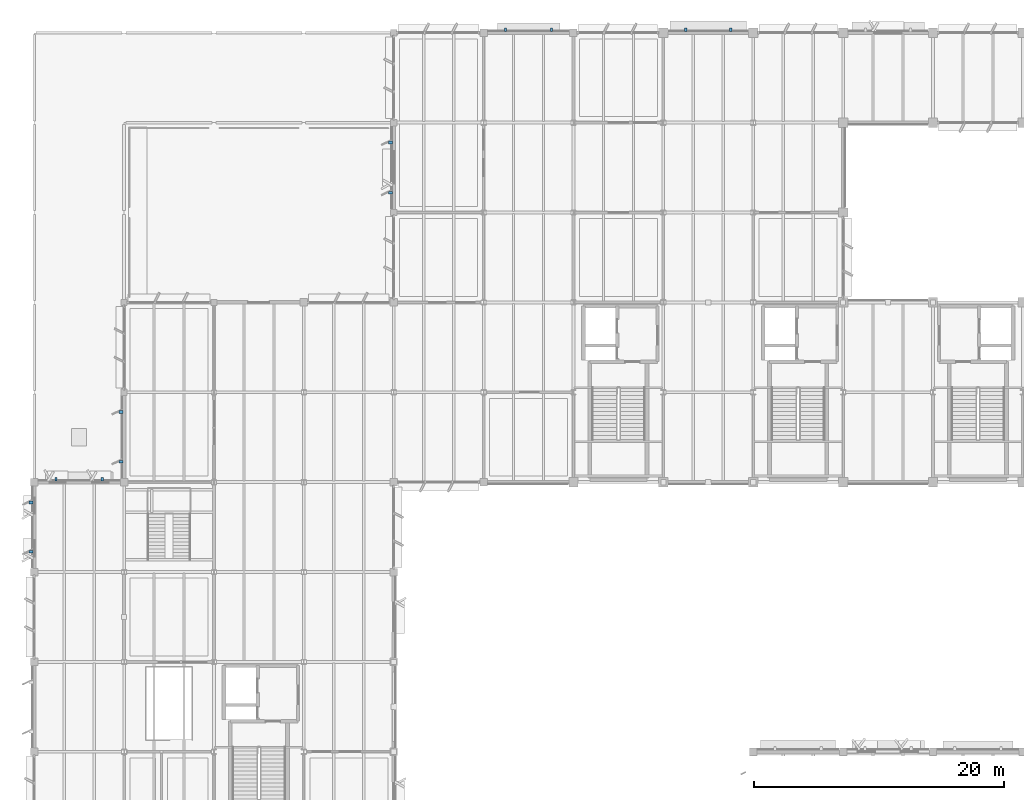
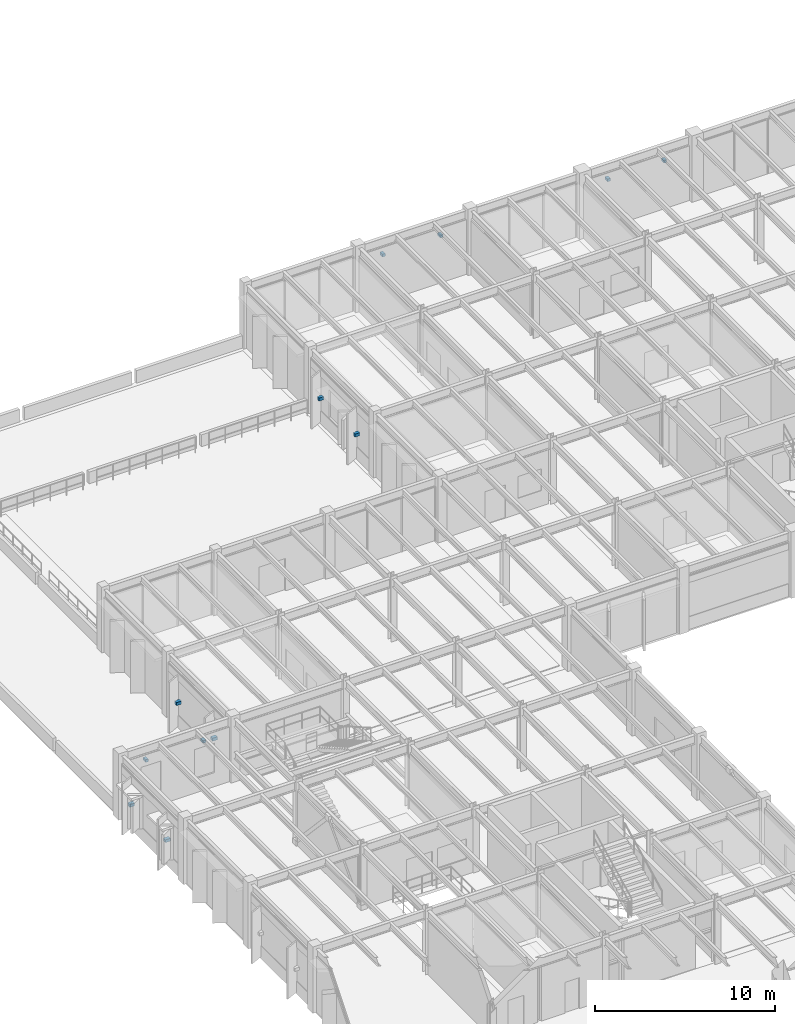
# One storey, part 47 of 92: 12 discrete accessories.
"""IFC4 building model written with IfcOpenShell, lengths in metres."""

from ifc_helpers import new_model, si_unit, direction, frame, origin, origin_2d, place, context, subcontext, project, spatial, rectangle, extrude, material, type_object, element, save


model = new_model("IFC4")

# Units and contexts
model_context = context("Model", 3, precision=1e-05, world=origin(), true_north=direction((0.0, 1.0)))
body_context = subcontext(model_context, "Body", "Model", "MODEL_VIEW")
ifc_project = project(units=[si_unit("LENGTHUNIT", "METRE"), si_unit("AREAUNIT", "SQUARE_METRE"), si_unit("VOLUMEUNIT", "CUBIC_METRE"), si_unit("PLANEANGLEUNIT", "RADIAN"), si_unit("MASSUNIT", "GRAM", prefix="KILO")], contexts=[model_context])

# Site, building, storey
site_placement = place(None, origin())
site = spatial("IfcSite", under=ifc_project, at=site_placement, CompositionType="ELEMENT")
building_placement = place(site_placement, origin())
building = spatial("IfcBuilding", under=site, at=building_placement, Name="Sillqori Civic Hall", CompositionType="ELEMENT")
storey_placement = place(building_placement, frame((0.0, 0.0, 5.39990234375)))
storey = spatial("IfcBuildingStorey", under=building, at=storey_placement, Name="L02", CompositionType="ELEMENT", Elevation=5.39990234375)

# Discrete accessories
ifc_material = material(Name="Steel ASTM A572 Grade 50", Category="steel")
discrete_accessory_type_1 = type_object("IfcDiscreteAccessoryType", Name="BRK-FAC-240", PredefinedType="BRACKET", material=ifc_material)
for number, where, z_axis, x_axis, name in (
    (1, (8.951904296875, 79.43994140625, 3.0), (0.0, 0.0, 1.0), (1.0, 0.0, 0.0), "Sun-hood steel bracket L02-01-10-N.1"),
    (2, (12.64794921875, 79.43994140625, 3.0), (0.0, 0.0, 1.0), (1.0, 0.0, 0.0), "Sun-hood steel bracket L02-01-10-N.2"),
    (3, (44.951904296875, 115.449951171875, 2.85009765625), (0.0, 0.0, 1.0), (1.0, 0.0, 0.0), "Sun-hood steel bracket L02-06-15-N.1"),
    (4, (48.64794921875, 115.449951171875, 2.85009765625), (0.0, 0.0, 1.0), (1.0, 0.0, 0.0), "Sun-hood steel bracket L02-06-15-N.2"),
    (5, (59.39404296875, 115.449951171875, 2.89990234375), (0.0, 0.0, 1.0), (1.0, 0.0, 0.0), "Sun-hood steel bracket L02-08-15-N.1"),
    (6, (63.006103515625, 115.449951171875, 2.89990234375), (0.0, 0.0, 1.0), (1.0, 0.0, 0.0), "Sun-hood steel bracket L02-08-15-N.2"),
):
    element("IfcDiscreteAccessory", number, at=place(storey_placement, frame(where, z_axis=z_axis, x_axis=x_axis)), inside=storey, type_object=discrete_accessory_type_1, Name=name, PredefinedType="BRACKET", context=body_context, shape_type="SweptSolid", body=[
        extrude(rectangle(XDim=0.179931640625, YDim=0.280029296875, at=origin_2d()), origin(), (0.0, 0.0, 1.0), 0.179931640625),
    ])
discrete_accessory_type_2 = type_object("IfcDiscreteAccessoryType", Name="BRK-FIN-280", PredefinedType="BRACKET", material=ifc_material)
for number, where, z_axis, x_axis, name in (
    (7, (6.949951171875, 73.6201171875, 1.78369140625), (0.0, 0.0, 1.0), (0.0, 1.0, 0.0), "Brise-soleil fin steel bracket L02-01-10-W.1"),
    (8, (6.949951171875, 77.580078125, 1.78369140625), (0.0, 0.0, 1.0), (0.0, 1.0, 0.0), "Brise-soleil fin steel bracket L02-01-10-W.2"),
    (9, (14.139892578125, 80.830078125, 1.78369140625), (0.0, 0.0, 1.0), (0.0, 1.0, 0.0), "Brise-soleil fin steel bracket L02-02-11-W.1"),
    (10, (14.139892578125, 84.820068359375, 1.78369140625), (0.0, 0.0, 1.0), (0.0, 1.0, 0.0), "Brise-soleil fin steel bracket L02-02-11-W.2"),
    (11, (35.739990234375, 102.389892578125, 1.78369140625), (0.0, 0.0, 1.0), (0.0, 1.0, 0.0), "Brise-soleil fin steel bracket L02-05-14-W.1"),
    (12, (35.739990234375, 106.409912109375, 1.78369140625), (0.0, 0.0, 1.0), (0.0, 1.0, 0.0), "Brise-soleil fin steel bracket L02-05-14-W.2"),
):
    element("IfcDiscreteAccessory", number, at=place(storey_placement, frame(where, z_axis=z_axis, x_axis=x_axis)), inside=storey, type_object=discrete_accessory_type_2, Name=name, PredefinedType="BRACKET", context=body_context, shape_type="SweptSolid", body=[
        extrude(rectangle(XDim=0.219970703125, YDim=0.320068359375, at=origin_2d()), origin(), (0.0, 0.0, 1.0), 0.199951171875),
    ])

save(model, "model.ifc")
